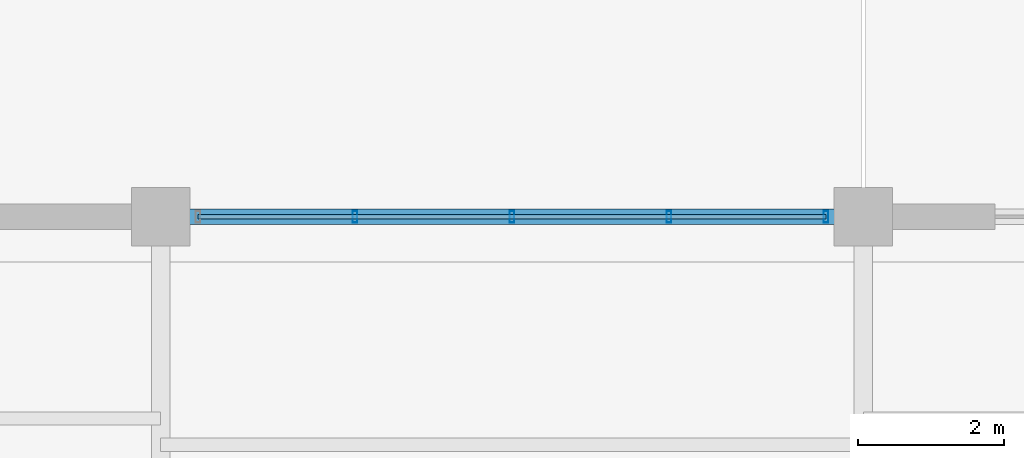
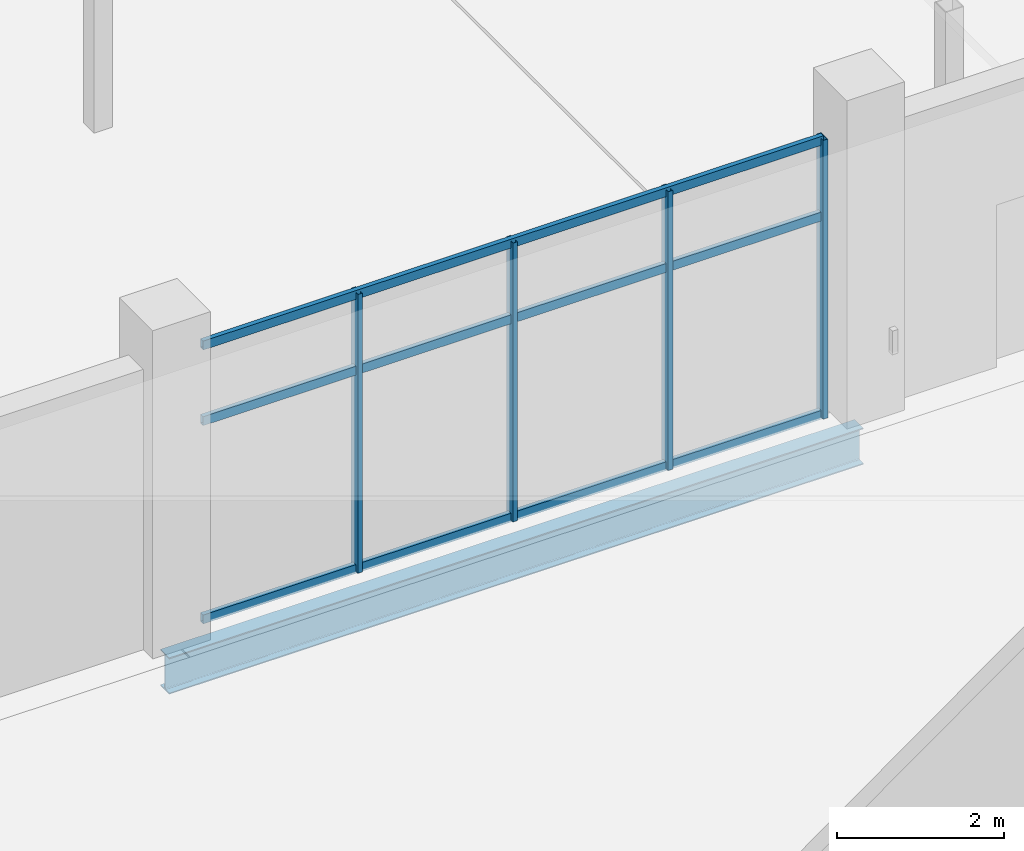
# One storey, part 52 of 116: 7 members, 1 beam, 1 element without a shape of its own.
"""IFC4 building model written with IfcOpenShell, lengths in metres."""

from ifc_helpers import new_model, si_unit, direction, frame, origin, origin_2d, place, context, subcontext, project, spatial, hollow_rectangle, i_section, extrude, material, layer, layer_set, material_profile, profile_set, type_object, element, aggregate, save


model = new_model("IFC4")

# Units and contexts
model_context = context("Model", 3, precision=1e-05, world=origin(), true_north=direction((0.0, 1.0)))
body_context = subcontext(model_context, "Body", "Model", "MODEL_VIEW")
ifc_project = project(units=[si_unit("LENGTHUNIT", "METRE"), si_unit("AREAUNIT", "SQUARE_METRE"), si_unit("VOLUMEUNIT", "CUBIC_METRE"), si_unit("PLANEANGLEUNIT", "RADIAN"), si_unit("MASSUNIT", "GRAM", prefix="KILO")], contexts=[model_context])

# Site, building, storey
site_placement = place(None, origin())
site = spatial("IfcSite", under=ifc_project, at=site_placement, CompositionType="ELEMENT")
building_placement = place(site_placement, origin())
building = spatial("IfcBuilding", under=site, at=building_placement, Name="Chalmorin Arch Market", CompositionType="ELEMENT")
storey_placement = place(building_placement, origin())
storey = spatial("IfcBuildingStorey", under=building, at=storey_placement, Name="L00", CompositionType="ELEMENT", Elevation=0.0)

# Curtain wall, members
ifc_material_1 = material(Name="Aluminium 6063-T6", Category="aluminium")
ifc_layer = layer(ifc_material_1, 0.159912109375)
ifc_layer_set = layer_set([ifc_layer], Name="Aluminium 6063-T6")
curtain_wall_type = type_object("IfcCurtainWallType", Name="RiverfrontStorefrontCurtainWall-CW2-8580x4080", PredefinedType="NOTDEFINED", material=ifc_layer_set)
curtain_wall_placement = place(storey_placement, origin())
curtain_wall = element("IfcCurtainWall", 1, at=curtain_wall_placement, inside=storey, type_object=curtain_wall_type, Name="CW-02-014", PredefinedType="NOTDEFINED")
ifc_material_profile_1 = material_profile(ifc_material_1, hollow_rectangle(XDim=0.06494140625, YDim=0.159912109375, WallThickness=0.00390625, at=origin_2d()), Name="ALU65X160X4")
ifc_profile_set_1 = profile_set([ifc_material_profile_1], Name="Aluminium 6063-T6")
member_type_1 = type_object("IfcMemberType", Name="CurtainWallMullion-65x160", PredefinedType="MULLION", material=ifc_profile_set_1)
member_1_placement = place(storey_placement, frame((89.054931640625, 58.800048828125, 0.0), z_axis=(0.0, 0.0, 1.0), x_axis=(1.0, 0.0, 0.0)))
member_1 = element("IfcMember", 2, at=member_1_placement, type_object=member_type_1, Name="ML-014-02", PredefinedType="MULLION", context=body_context, shape_type="SweptSolid", body=[
    extrude(hollow_rectangle(XDim=0.06494140625, YDim=0.159912109375, WallThickness=0.00390625, at=origin_2d()), origin(), (0.0, 0.0, 1.0), 4.075927734375),
])
member_2_placement = place(storey_placement, frame((91.199951171875, 58.800048828125, 0.0), z_axis=(0.0, 0.0, 1.0), x_axis=(1.0, 0.0, 0.0)))
member_2 = element("IfcMember", 3, at=member_2_placement, type_object=member_type_1, Name="ML-014-03", PredefinedType="MULLION", context=body_context, shape_type="SweptSolid", body=[
    extrude(hollow_rectangle(XDim=0.06494140625, YDim=0.159912109375, WallThickness=0.00390625, at=origin_2d()), origin(), (0.0, 0.0, 1.0), 4.075927734375),
])
member_3_placement = place(storey_placement, frame((93.344970703125, 58.800048828125, 0.0), z_axis=(0.0, 0.0, 1.0), x_axis=(1.0, 0.0, 0.0)))
member_3 = element("IfcMember", 4, at=member_3_placement, type_object=member_type_1, Name="ML-014-04", PredefinedType="MULLION", context=body_context, shape_type="SweptSolid", body=[
    extrude(hollow_rectangle(XDim=0.06494140625, YDim=0.159912109375, WallThickness=0.00390625, at=origin_2d()), origin(), (0.0, 0.0, 1.0), 4.075927734375),
])
member_4_placement = place(storey_placement, frame((95.489990234375, 58.800048828125, 0.0), z_axis=(0.0, 0.0, 1.0), x_axis=(1.0, 0.0, 0.0)))
member_4 = element("IfcMember", 5, at=member_4_placement, type_object=member_type_1, Name="ML-014-05", PredefinedType="MULLION", context=body_context, shape_type="SweptSolid", body=[
    extrude(hollow_rectangle(XDim=0.06494140625, YDim=0.159912109375, WallThickness=0.00390625, at=origin_2d()), origin(), (0.0, 0.0, 1.0), 4.075927734375),
])
ifc_material_profile_2 = material_profile(ifc_material_1, hollow_rectangle(XDim=0.06494140625, YDim=0.1298828125, WallThickness=0.00390625, at=origin_2d()), Name="ALU65X130X4")
ifc_profile_set_2 = profile_set([ifc_material_profile_2], Name="Aluminium 6063-T6")
member_type_2 = type_object("IfcMemberType", Name="CurtainWallTransom-65x130", PredefinedType="USERDEFINED", material=ifc_profile_set_2)
member_5_placement = place(storey_placement, frame((86.909912109375, 58.800048828125, 0.034912109375), z_axis=(1.0, 0.0, 0.0), x_axis=(0.0, 1.0, 0.0)))
member_5 = element("IfcMember", 6, at=member_5_placement, type_object=member_type_2, Name="TR-014-01", ObjectType="TRANSOM", PredefinedType="USERDEFINED", context=body_context, shape_type="SweptSolid", body=[
    extrude(hollow_rectangle(XDim=0.06494140625, YDim=0.1298828125, WallThickness=0.00390625, at=origin_2d()), origin(), (0.0, 0.0, 1.0), 8.580078125),
])
member_6_placement = place(storey_placement, frame((86.909912109375, 58.800048828125, 2.934814453125), z_axis=(1.0, 0.0, 0.0), x_axis=(0.0, 1.0, 0.0)))
member_6 = element("IfcMember", 7, at=member_6_placement, type_object=member_type_2, Name="TR-014-02", ObjectType="TRANSOM", PredefinedType="USERDEFINED", context=body_context, shape_type="SweptSolid", body=[
    extrude(hollow_rectangle(XDim=0.06494140625, YDim=0.1298828125, WallThickness=0.00390625, at=origin_2d()), origin(), (0.0, 0.0, 1.0), 8.580078125),
])
member_7_placement = place(storey_placement, frame((86.909912109375, 58.800048828125, 4.041015625), z_axis=(1.0, 0.0, 0.0), x_axis=(0.0, 1.0, 0.0)))
member_7 = element("IfcMember", 8, at=member_7_placement, type_object=member_type_2, Name="TR-014-03", ObjectType="TRANSOM", PredefinedType="USERDEFINED", context=body_context, shape_type="SweptSolid", body=[
    extrude(hollow_rectangle(XDim=0.06494140625, YDim=0.1298828125, WallThickness=0.00390625, at=origin_2d()), origin(), (0.0, 0.0, 1.0), 8.580078125),
])
aggregate(curtain_wall, [member_1, member_2, member_3, member_4, member_5, member_6, member_7])

# Beam
ifc_material_2 = material(Name="Steel A992 Grade 50", Category="steel")
ifc_material_profile_3 = material_profile(ifc_material_2, i_section(OverallWidth=0.208984375, OverallDepth=0.532958984375, WebThickness=0.01025390625, FlangeThickness=0.015625, FilletRadius=0.02197265625, at=origin_2d()), Name="W21X62")
ifc_profile_set_3 = profile_set([ifc_material_profile_3], Name="Steel A992 Grade 50")
beam_type = type_object("IfcBeamType", Name="PerimeterSpandrelBeam-W21X62", PredefinedType="SPANDREL", material=ifc_profile_set_3)
beam_placement = place(storey_placement, frame((86.39990234375, 58.800048828125, -0.568603515625), z_axis=(1.0, 0.0, 0.0), x_axis=(0.0, 1.0, 0.0)))
element("IfcBeam", 9, at=beam_placement, inside=storey, type_object=beam_type, Name="SP-W21-0070", PredefinedType="SPANDREL", context=body_context, shape_type="SweptSolid", body=[
    extrude(i_section(OverallWidth=0.208984375, OverallDepth=0.532958984375, WebThickness=0.01025390625, FlangeThickness=0.015625, FilletRadius=0.02197265625, at=origin_2d()), origin(), (0.0, 0.0, 1.0), 9.60009765625),
])

save(model, "model.ifc")
